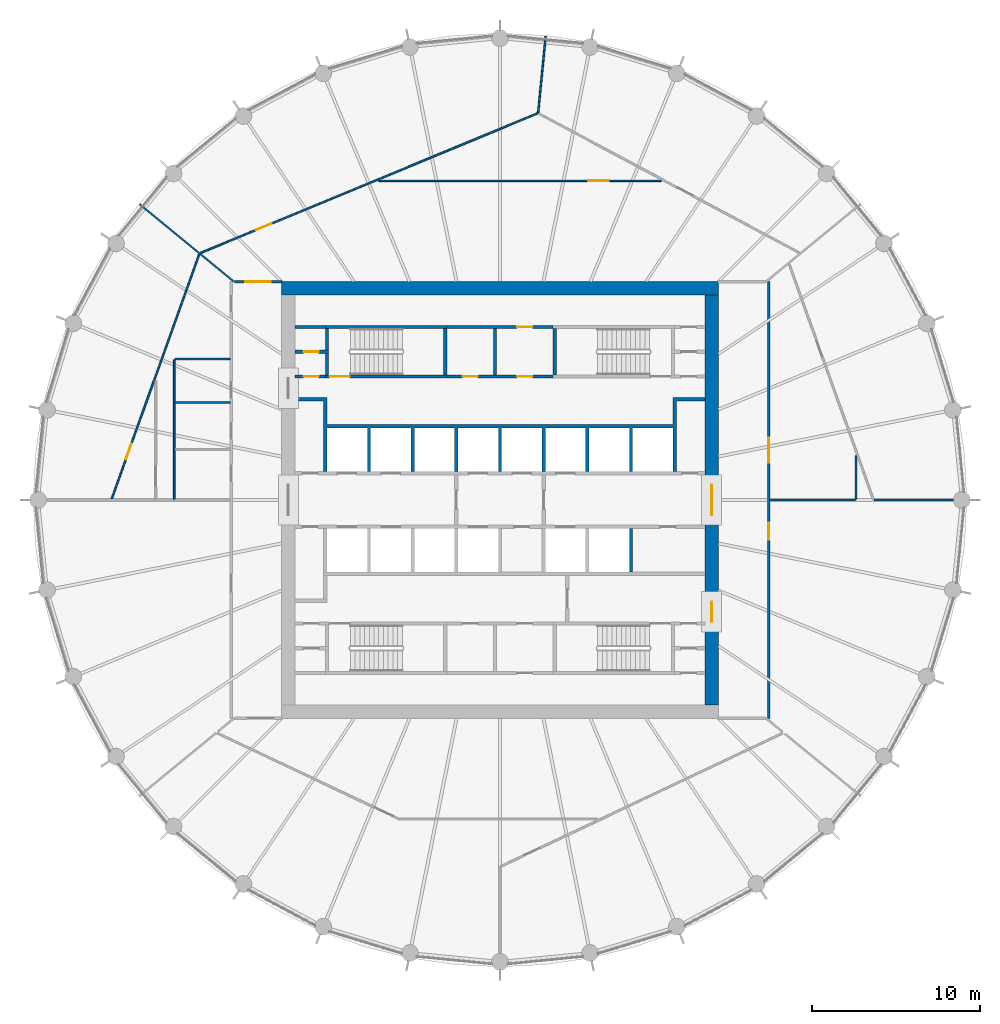
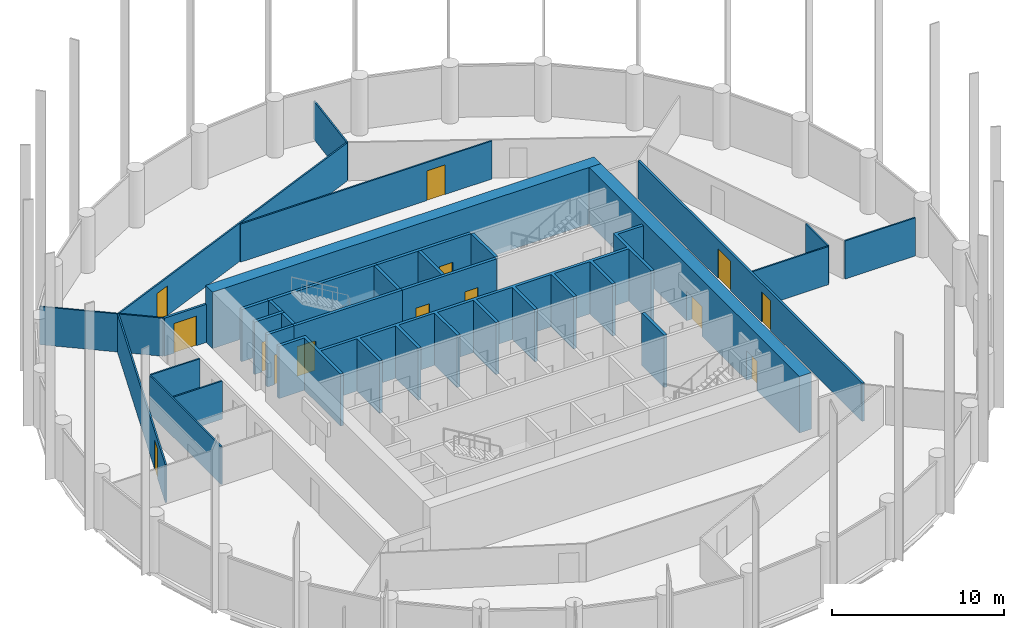
# One storey, part 6 of 8: 29 walls, 14 doors, 14 openings.
"""IFC4 building model written with IfcOpenShell, lengths in metres."""

from ifc_helpers import new_model, si_unit, direction, frame, frame_2d, origin, place, context, subcontext, project, spatial, polyline, rectangle, outline, extrude, material, layer, layer_set, type_object, element, fill, save


model = new_model("IFC4")

# Units and contexts
model_context = context("Model", 3, precision=1e-05, world=origin(), true_north=direction((0.0, 1.0)))
body_context = subcontext(model_context, "Body", "Model", "MODEL_VIEW")
ifc_project = project(units=[si_unit("LENGTHUNIT", "METRE"), si_unit("AREAUNIT", "SQUARE_METRE"), si_unit("VOLUMEUNIT", "CUBIC_METRE"), si_unit("PLANEANGLEUNIT", "RADIAN"), si_unit("MASSUNIT", "GRAM", prefix="KILO")], contexts=[model_context])

# Site, building, storey
site_placement = place(None, origin())
site = spatial("IfcSite", under=ifc_project, at=site_placement, CompositionType="ELEMENT")
building_placement = place(site_placement, origin())
building = spatial("IfcBuilding", under=site, at=building_placement, Name="Corvane Civic Tower", CompositionType="ELEMENT")
storey_placement = place(building_placement, frame((0.0, 0.0, 233.5)))
storey = spatial("IfcBuildingStorey", under=building, at=storey_placement, Name="L55", CompositionType="ELEMENT", Elevation=233.5)

# Wall
ifc_material_1 = material(Name="Concrete C50/60", Category="concrete")
ifc_layer_1 = layer(ifc_material_1, 0.800048828125)
ifc_layer_set_1 = layer_set([ifc_layer_1], Name="Concrete C50/60")
wall_type_1 = type_object("IfcWallType", Name="CORE WALL 800 C50/60", PredefinedType="SHEAR", material=ifc_layer_set_1)
wall_1_placement = place(storey_placement, frame((-13.0, 12.60009765625, 0.0), z_axis=(0.0, 0.0, 1.0), x_axis=(1.0, 0.0, 0.0)))
element("IfcWall", 1, at=wall_1_placement, inside=storey, type_object=wall_type_1, Name="W-L55-core-N", PredefinedType="SHEAR", context=body_context, shape_type="SweptSolid", body=[
    extrude(rectangle(XDim=26.0, YDim=0.800048828125, at=frame_2d((13.0, 0.0))), origin(), (0.0, 0.0, 1.0), 4.0),
])

# Wall, openings, doors
wall_2_placement = place(storey_placement, frame((12.60009765625, -12.199951171875, 0.0), z_axis=(0.0, 0.0, 1.0), x_axis=(0.0, 1.0, 0.0)))
wall_2 = element("IfcWall", 2, at=wall_2_placement, inside=storey, type_object=wall_type_1, Name="W-L55-core-E", PredefinedType="SHEAR", context=body_context, shape_type="SweptSolid", body=[
    extrude(rectangle(XDim=24.39990234375, YDim=0.800048828125, at=frame_2d((12.199951171875, 0.0))), origin(), (0.0, 0.0, 1.0), 4.0),
])
opening_1_placement = place(wall_2_placement, frame((11.300048828125, 0.0, 0.0)))
opening_1 = element("IfcOpeningElement", 3, at=opening_1_placement, cuts=wall_2, Name="Opening L55.C30", PredefinedType="OPENING", context=body_context, shape_type="SweptSolid", body=[
    extrude(rectangle(XDim=1.800048828125, YDim=2.10009765625, at=frame_2d((0.89990234375, 1.050048828125))), frame((0.0, 0.409912109375, 0.0), z_axis=(0.0, -1.0, 0.0), x_axis=(1.0, 0.0, 0.0)), (0.0, 0.0, 1.0), 0.820068359375),
])
opening_2_placement = place(wall_2_placement, frame((4.949951171875, 0.0, 0.0)))
opening_2 = element("IfcOpeningElement", 4, at=opening_2_placement, cuts=wall_2, Name="Opening L55.C32", PredefinedType="OPENING", context=body_context, shape_type="SweptSolid", body=[
    extrude(rectangle(XDim=1.199951171875, YDim=2.10009765625, at=frame_2d((0.60009765625, 1.050048828125))), frame((0.0, 0.409912109375, 0.0), z_axis=(0.0, -1.0, 0.0), x_axis=(1.0, 0.0, 0.0)), (0.0, 0.0, 1.0), 0.820068359375),
])
ifc_material_2 = material(Name="Steel fire door leaf", Category="steel")
door_type_1 = type_object("IfcDoorType", Name="CR-DOOR-CORE-1800", OperationType="DOUBLE_DOOR_SINGLE_SWING", PredefinedType="DOOR", material=ifc_material_2)
door_1_placement = place(opening_1_placement, origin())
door_1 = element("IfcDoor", 5, at=door_1_placement, inside=storey, type_object=door_type_1, Name="L55 door", OperationType="DOUBLE_DOOR_SINGLE_SWING", OverallHeight=2.10009765625, OverallWidth=1.800048828125, PredefinedType="DOOR", context=body_context, shape_type="SweptSolid", body=[
    extrude(rectangle(XDim=1.800048828125, YDim=2.10009765625, at=frame_2d((0.89990234375, 1.050048828125))), frame((0.0, 0.02490234375, 0.0), z_axis=(0.0, -1.0, 0.0), x_axis=(1.0, 0.0, 0.0)), (0.0, 0.0, 1.0), 0.050048828125),
])
fill(opening_1, door_1)
door_2_placement = place(opening_2_placement, origin())
door_2 = element("IfcDoor", 6, at=door_2_placement, inside=storey, type_object=door_type_1, Name="L55 door", OperationType="DOUBLE_DOOR_SINGLE_SWING", OverallHeight=2.10009765625, OverallWidth=1.199951171875, PredefinedType="DOOR", context=body_context, shape_type="SweptSolid", body=[
    extrude(rectangle(XDim=1.199951171875, YDim=2.10009765625, at=frame_2d((0.60009765625, 1.050048828125))), frame((0.0, 0.02490234375, 0.0), z_axis=(0.0, -1.0, 0.0), x_axis=(1.0, 0.0, 0.0)), (0.0, 0.0, 1.0), 0.050048828125),
])
fill(opening_2, door_2)

# Wall, opening, door
ifc_material_3 = material(Name="Concrete C30/37", Category="concrete")
ifc_layer_2 = layer(ifc_material_3, 0.199951171875)
ifc_layer_set_2 = layer_set([ifc_layer_2], Name="Concrete C30/37")
wall_type_2 = type_object("IfcWallType", Name="CR-WALL-200", PredefinedType="PARTITIONING", material=ifc_layer_set_2)
wall_3_placement = place(storey_placement, frame((-12.199951171875, 7.35009765625, 0.0), z_axis=(0.0, 0.0, 1.0), x_axis=(1.0, 0.0, 0.0)))
wall_3 = element("IfcWall", 7, at=wall_3_placement, inside=storey, type_object=wall_type_2, Name="L55 core partition wall", PredefinedType="PARTITIONING", context=body_context, shape_type="SweptSolid", body=[
    extrude(rectangle(XDim=1.800048828125, YDim=0.199951171875, at=frame_2d((0.89990234375, 0.0))), origin(), (0.0, 0.0, 1.0), 3.699951171875),
])
opening_3_placement = place(wall_3_placement, frame((0.5, 0.0, 0.0)))
opening_3 = element("IfcOpeningElement", 8, at=opening_3_placement, cuts=wall_3, Name="Opening L55.C12", PredefinedType="OPENING", context=body_context, shape_type="SweptSolid", body=[
    extrude(rectangle(XDim=0.89990234375, YDim=2.10009765625, at=frame_2d((0.449951171875, 1.050048828125))), frame((0.0, 0.10986328125, 0.0), z_axis=(0.0, -1.0, 0.0), x_axis=(1.0, 0.0, 0.0)), (0.0, 0.0, 1.0), 0.219970703125),
])
ifc_material_4 = material(Name="Steel fire door leaf", Category="steel")
door_type_2 = type_object("IfcDoorType", Name="CR-DOOR-900", OperationType="SINGLE_SWING_LEFT", PredefinedType="DOOR", material=ifc_material_4)
door_3_placement = place(opening_3_placement, origin())
door_3 = element("IfcDoor", 9, at=door_3_placement, inside=storey, type_object=door_type_2, Name="L55 door", OperationType="SINGLE_SWING_LEFT", OverallHeight=2.10009765625, OverallWidth=0.89990234375, PredefinedType="DOOR", context=body_context, shape_type="SweptSolid", body=[
    extrude(rectangle(XDim=0.89990234375, YDim=2.10009765625, at=frame_2d((0.449951171875, 1.050048828125))), frame((0.0, 0.02490234375, 0.0), z_axis=(0.0, -1.0, 0.0), x_axis=(1.0, 0.0, 0.0)), (0.0, 0.0, 1.0), 0.050048828125),
])
fill(opening_3, door_3)

# Wall, openings, doors
wall_4_placement = place(storey_placement, frame((-3.14990234375, 7.35009765625, 0.0), z_axis=(0.0, 0.0, 1.0), x_axis=(1.0, 0.0, 0.0)))
wall_4 = element("IfcWall", 10, at=wall_4_placement, inside=storey, type_object=wall_type_2, Name="L55 core partition wall", PredefinedType="PARTITIONING", context=body_context, shape_type="SweptSolid", body=[
    extrude(rectangle(XDim=6.2998046875, YDim=0.199951171875, at=frame_2d((3.14990234375, 0.0))), origin(), (0.0, 0.0, 1.0), 3.699951171875),
])
opening_4_placement = place(wall_4_placement, frame((0.925048828125, 0.0, 0.0)))
opening_4 = element("IfcOpeningElement", 11, at=opening_4_placement, cuts=wall_4, Name="Opening L55.C06", PredefinedType="OPENING", context=body_context, shape_type="SweptSolid", body=[
    extrude(rectangle(XDim=0.89990234375, YDim=2.10009765625, at=frame_2d((0.449951171875, 1.050048828125))), frame((0.0, 0.10986328125, 0.0), z_axis=(0.0, -1.0, 0.0), x_axis=(1.0, 0.0, 0.0)), (0.0, 0.0, 1.0), 0.219970703125),
])
opening_5_placement = place(wall_4_placement, frame((4.175048828125, 0.0, 0.0)))
opening_5 = element("IfcOpeningElement", 12, at=opening_5_placement, cuts=wall_4, Name="Opening L55.C07", PredefinedType="OPENING", context=body_context, shape_type="SweptSolid", body=[
    extrude(rectangle(XDim=0.89990234375, YDim=2.10009765625, at=frame_2d((0.449951171875, 1.050048828125))), frame((0.0, 0.10986328125, 0.0), z_axis=(0.0, -1.0, 0.0), x_axis=(1.0, 0.0, 0.0)), (0.0, 0.0, 1.0), 0.219970703125),
])
door_4_placement = place(opening_4_placement, origin())
door_4 = element("IfcDoor", 13, at=door_4_placement, inside=storey, type_object=door_type_2, Name="L55 door", OperationType="SINGLE_SWING_LEFT", OverallHeight=2.10009765625, OverallWidth=0.89990234375, PredefinedType="DOOR", context=body_context, shape_type="SweptSolid", body=[
    extrude(rectangle(XDim=0.89990234375, YDim=2.10009765625, at=frame_2d((0.449951171875, 1.050048828125))), frame((0.0, 0.02490234375, 0.0), z_axis=(0.0, -1.0, 0.0), x_axis=(1.0, 0.0, 0.0)), (0.0, 0.0, 1.0), 0.050048828125),
])
fill(opening_4, door_4)
door_5_placement = place(opening_5_placement, origin())
door_5 = element("IfcDoor", 14, at=door_5_placement, inside=storey, type_object=door_type_2, Name="L55 door", OperationType="SINGLE_SWING_LEFT", OverallHeight=2.10009765625, OverallWidth=0.89990234375, PredefinedType="DOOR", context=body_context, shape_type="SweptSolid", body=[
    extrude(rectangle(XDim=0.89990234375, YDim=2.10009765625, at=frame_2d((0.449951171875, 1.050048828125))), frame((0.0, 0.02490234375, 0.0), z_axis=(0.0, -1.0, 0.0), x_axis=(1.0, 0.0, 0.0)), (0.0, 0.0, 1.0), 0.050048828125),
])
fill(opening_5, door_5)

# Wall, opening, door
wall_5_placement = place(storey_placement, frame((-12.199951171875, 8.824951171875, 0.0), z_axis=(0.0, 0.0, 1.0), x_axis=(1.0, 0.0, 0.0)))
wall_5 = element("IfcWall", 15, at=wall_5_placement, inside=storey, type_object=wall_type_2, Name="L55 partition wall", PredefinedType="PARTITIONING", context=body_context, shape_type="SweptSolid", body=[
    extrude(rectangle(XDim=2.0, YDim=0.199951171875, at=frame_2d((1.0, 0.0))), origin(), (0.0, 0.0, 1.0), 3.699951171875),
])
opening_6_placement = place(wall_5_placement, frame((0.5, 0.0, 0.0)))
opening_6 = element("IfcOpeningElement", 16, at=opening_6_placement, cuts=wall_5, Name="Opening L55.C13", PredefinedType="OPENING", context=body_context, shape_type="SweptSolid", body=[
    extrude(rectangle(XDim=0.89990234375, YDim=2.10009765625, at=frame_2d((0.449951171875, 1.050048828125))), frame((0.0, 0.10986328125, 0.0), z_axis=(0.0, -1.0, 0.0), x_axis=(1.0, 0.0, 0.0)), (0.0, 0.0, 1.0), 0.219970703125),
])
door_6_placement = place(opening_6_placement, origin())
door_6 = element("IfcDoor", 17, at=door_6_placement, inside=storey, type_object=door_type_2, Name="L55 door", OperationType="SINGLE_SWING_LEFT", OverallHeight=2.10009765625, OverallWidth=0.89990234375, PredefinedType="DOOR", context=body_context, shape_type="SweptSolid", body=[
    extrude(rectangle(XDim=0.89990234375, YDim=2.10009765625, at=frame_2d((0.449951171875, 1.050048828125))), frame((0.0, 0.02490234375, 0.0), z_axis=(0.0, -1.0, 0.0), x_axis=(1.0, 0.0, 0.0)), (0.0, 0.0, 1.0), 0.050048828125),
])
fill(opening_6, door_6)

wall_6_placement = place(storey_placement, frame((-3.14990234375, 10.300048828125, 0.0), z_axis=(0.0, 0.0, 1.0), x_axis=(1.0, 0.0, 0.0)))
wall_6 = element("IfcWall", 18, at=wall_6_placement, inside=storey, type_object=wall_type_2, Name="L55 partition wall", PredefinedType="PARTITIONING", context=body_context, shape_type="SweptSolid", body=[
    extrude(rectangle(XDim=6.2998046875, YDim=0.199951171875, at=frame_2d((3.14990234375, 0.0))), origin(), (0.0, 0.0, 1.0), 3.699951171875),
])
opening_7_placement = place(wall_6_placement, frame((4.175048828125, 0.0, 0.0)))
opening_7 = element("IfcOpeningElement", 19, at=opening_7_placement, cuts=wall_6, Name="Opening L55.C10", PredefinedType="OPENING", context=body_context, shape_type="SweptSolid", body=[
    extrude(rectangle(XDim=0.89990234375, YDim=2.10009765625, at=frame_2d((0.449951171875, 1.050048828125))), frame((0.0, 0.10986328125, 0.0), z_axis=(0.0, -1.0, 0.0), x_axis=(1.0, 0.0, 0.0)), (0.0, 0.0, 1.0), 0.219970703125),
])
door_7_placement = place(opening_7_placement, origin())
door_7 = element("IfcDoor", 20, at=door_7_placement, inside=storey, type_object=door_type_2, Name="L55 door", OperationType="SINGLE_SWING_LEFT", OverallHeight=2.10009765625, OverallWidth=0.89990234375, PredefinedType="DOOR", context=body_context, shape_type="SweptSolid", body=[
    extrude(rectangle(XDim=0.89990234375, YDim=2.10009765625, at=frame_2d((0.449951171875, 1.050048828125))), frame((0.0, 0.02490234375, 0.0), z_axis=(0.0, -1.0, 0.0), x_axis=(1.0, 0.0, 0.0)), (0.0, 0.0, 1.0), 0.050048828125),
])
fill(opening_7, door_7)

# Walls
wall_7_placement = place(storey_placement, origin())
element("IfcWall", 21, at=wall_7_placement, inside=storey, type_object=wall_type_2, Name="L55 core partition wall", PredefinedType="PARTITIONING", context=body_context, shape_type="SweptSolid", body=[
    extrude(outline(polyline([(7.89990234375, -1.699951171875), (7.89990234375, -4.2998046875), (7.699951171875, -4.2998046875), (7.699951171875, -1.699951171875), (7.89990234375, -1.699951171875)])), origin(), (0.0, 0.0, 1.0), 3.699951171875),
])
wall_8_placement = place(storey_placement, origin())
element("IfcWall", 22, at=wall_8_placement, inside=storey, type_object=wall_type_2, Name="L55 core partition wall", PredefinedType="PARTITIONING", context=body_context, shape_type="SweptSolid", body=[
    extrude(outline(polyline([(-12.199951171875, 10.199951171875), (-12.199951171875, 10.39990234375), (-10.39990234375, 10.39990234375), (-10.39990234375, 10.199951171875), (-12.199951171875, 10.199951171875)])), origin(), (0.0, 0.0, 1.0), 3.699951171875),
])
wall_9_placement = place(storey_placement, origin())
element("IfcWall", 23, at=wall_9_placement, inside=storey, type_object=wall_type_2, Name="L55 core partition wall", PredefinedType="PARTITIONING", context=body_context, shape_type="SweptSolid", body=[
    extrude(outline(polyline([(-0.199951171875, 10.199951171875), (-0.199951171875, 7.449951171875), (-0.39990234375, 7.449951171875), (-0.39990234375, 10.199951171875), (-0.199951171875, 10.199951171875)])), origin(), (0.0, 0.0, 1.0), 3.699951171875),
])
wall_10_placement = place(storey_placement, origin())
element("IfcWall", 24, at=wall_10_placement, inside=storey, type_object=wall_type_2, Name="L55 core partition wall", PredefinedType="PARTITIONING", context=body_context, shape_type="SweptSolid", body=[
    extrude(outline(polyline([(-10.300048828125, 1.699951171875), (-10.5, 1.699951171875), (-10.5, 5.89990234375), (-12.199951171875, 5.89990234375), (-12.199951171875, 6.10009765625), (-10.300048828125, 6.10009765625), (-10.300048828125, 4.5), (10.300048828125, 4.5), (10.300048828125, 6.10009765625), (12.199951171875, 6.10009765625), (12.199951171875, 5.89990234375), (10.5, 5.89990234375), (10.5, 1.699951171875), (10.300048828125, 1.699951171875), (10.300048828125, 4.300048828125), (7.89990234375, 4.300048828125), (7.89990234375, 1.699951171875), (7.699951171875, 1.699951171875), (7.699951171875, 4.300048828125), (5.300048828125, 4.300048828125), (5.300048828125, 1.699951171875), (5.10009765625, 1.699951171875), (5.10009765625, 4.300048828125), (2.699951171875, 4.300048828125), (2.699951171875, 1.699951171875), (2.5, 1.699951171875), (2.5, 4.300048828125), (0.10009765625, 4.300048828125), (0.10009765625, 1.699951171875), (-0.10009765625, 1.699951171875), (-0.10009765625, 4.300048828125), (-2.5, 4.300048828125), (-2.5, 1.699951171875), (-2.699951171875, 1.699951171875), (-2.699951171875, 4.300048828125), (-5.10009765625, 4.300048828125), (-5.10009765625, 1.699951171875), (-5.300048828125, 1.699951171875), (-5.300048828125, 4.300048828125), (-7.699951171875, 4.300048828125), (-7.699951171875, 1.699951171875), (-7.89990234375, 1.699951171875), (-7.89990234375, 4.300048828125), (-10.300048828125, 4.300048828125), (-10.300048828125, 1.699951171875)])), origin(), (0.0, 0.0, 1.0), 3.699951171875),
])
ifc_material_5 = material(Name="Plasterboard")
ifc_layer_3 = layer(ifc_material_5, 0.10009765625)
ifc_layer_set_3 = layer_set([ifc_layer_3], Name="Plasterboard")
wall_type_3 = type_object("IfcWallType", Name="Partition 100 plasterboard on studs", PredefinedType="PARTITIONING", material=ifc_layer_set_3)
wall_11_placement = place(storey_placement, frame((16.074951171875, 0.0, 0.0), z_axis=(0.0, 0.0, 1.0), x_axis=(1.0, 0.0, 0.0)))
element("IfcWall", 25, at=wall_11_placement, inside=storey, type_object=wall_type_3, Name="Partition L55.014", PredefinedType="PARTITIONING", context=body_context, shape_type="SweptSolid", body=[
    extrude(rectangle(XDim=5.074951171875, YDim=0.10009765625, at=frame_2d((2.53759765625, 0.0))), origin(), (0.0, 0.0, 1.0), 2.699951171875),
])
wall_12_placement = place(storey_placement, frame((22.27880859375, 0.0, 0.0), z_axis=(0.0, 0.0, 1.0), x_axis=(1.0, 0.0, 0.0)))
element("IfcWall", 26, at=wall_12_placement, inside=storey, type_object=wall_type_3, Name="Partition L55.015", PredefinedType="PARTITIONING", context=body_context, shape_type="SweptSolid", body=[
    extrude(rectangle(XDim=4.711181640625, YDim=0.10009765625, at=frame_2d((2.35546875, 0.0))), origin(), (0.0, 0.0, 1.0), 2.699951171875),
])
wall_13_placement = place(storey_placement, frame((-19.39990234375, 0.050048828125, 0.0), z_axis=(0.0, 0.0, 1.0), x_axis=(0.0, 1.0, 0.0)))
element("IfcWall", 27, at=wall_13_placement, inside=storey, type_object=wall_type_3, Name="Partition L55.018", PredefinedType="PARTITIONING", context=body_context, shape_type="SweptSolid", body=[
    extrude(rectangle(XDim=8.300048828125, YDim=0.10009765625, at=frame_2d((4.14990234375, 0.0))), origin(), (0.0, 0.0, 1.0), 2.699951171875),
])
wall_14_placement = place(storey_placement, frame((21.199951171875, 0.050048828125, 0.0), z_axis=(0.0, 0.0, 1.0), x_axis=(0.0, 1.0, 0.0)))
element("IfcWall", 28, at=wall_14_placement, inside=storey, type_object=wall_type_3, Name="Partition L55.019", PredefinedType="PARTITIONING", context=body_context, shape_type="SweptSolid", body=[
    extrude(rectangle(XDim=2.57861328125, YDim=0.10009765625, at=frame_2d((1.289306640625, 0.0))), origin(), (0.0, 0.0, 1.0), 2.699951171875),
])

# Wall, opening, door
wall_15_placement = place(storey_placement, frame((-23.120849609375, 0.06689453125, 0.0), z_axis=(0.0, 0.0, 1.0), x_axis=(0.336893826296, 0.941542643646, 0.0)))
wall_15 = element("IfcWall", 29, at=wall_15_placement, inside=storey, type_object=wall_type_3, Name="Partition L55.020", PredefinedType="PARTITIONING", context=body_context, shape_type="SweptSolid", body=[
    extrude(rectangle(XDim=15.452392578125, YDim=0.10009765625, at=frame_2d((7.72607421875, 0.0))), origin(), (0.0, 0.0, 1.0), 2.699951171875),
])
opening_8_placement = place(wall_15_placement, frame((2.49169921875, 0.0, 0.0)))
opening_8 = element("IfcOpeningElement", 30, at=opening_8_placement, cuts=wall_15, Name="Opening L55.012", PredefinedType="OPENING", context=body_context, shape_type="SweptSolid", body=[
    extrude(rectangle(XDim=1.0, YDim=2.10009765625, at=frame_2d((0.5, 1.050048828125))), frame((0.0, 0.06005859375, 0.0), z_axis=(0.0, -1.0, 0.0), x_axis=(1.0, 0.0, 0.0)), (0.0, 0.0, 1.0), 0.1201171875),
])
ifc_material_6 = material(Name="Timber", Category="wood")
door_type_3 = type_object("IfcDoorType", Name="Single door 1000", OperationType="NOTDEFINED", PredefinedType="DOOR", material=ifc_material_6)
door_8_placement = place(opening_8_placement, origin())
door_8 = element("IfcDoor", 31, at=door_8_placement, inside=storey, type_object=door_type_3, Name="Door L55.012", OperationType="SINGLE_SWING_LEFT", OverallHeight=2.10009765625, OverallWidth=1.0, PredefinedType="DOOR", context=body_context, shape_type="SweptSolid", body=[
    extrude(rectangle(XDim=1.0, YDim=2.10009765625, at=frame_2d((0.5, 1.050048828125))), frame((0.0, 0.02490234375, 0.0), z_axis=(0.0, -1.0, 0.0), x_axis=(1.0, 0.0, 0.0)), (0.0, 0.0, 1.0), 0.050048828125),
])
fill(opening_8, door_8)

# Walls
for number, where, z_axis, x_axis, name in (
    (32, (-19.35009765625, 5.800048828125, 0.0), (0.0, 0.0, 1.0), (1.0, 0.0, 0.0), "Partition L55.022"),
    (33, (-19.35009765625, 8.39990234375, 0.0), (0.0, 0.0, 1.0), (1.0, 0.0, 0.0), "Partition L55.023"),
):
    element("IfcWall", number, at=place(storey_placement, frame(where, z_axis=z_axis, x_axis=x_axis)), inside=storey, type_object=wall_type_3, Name=name, PredefinedType="PARTITIONING", context=body_context, shape_type="SweptSolid", body=[
        extrude(rectangle(XDim=3.275146484375, YDim=0.10009765625, at=frame_2d((1.6376953125, 0.0))), origin(), (0.0, 0.0, 1.0), 2.699951171875),
    ])
wall_16_placement = place(storey_placement, frame((-21.451171875, 17.6044921875, 0.0), z_axis=(0.0, 0.0, 1.0), x_axis=(0.773014432023, -0.634388436121, 0.0)))
element("IfcWall", 34, at=wall_16_placement, inside=storey, type_object=wall_type_3, Name="Partition L55.026", PredefinedType="PARTITIONING", context=body_context, shape_type="SweptSolid", body=[
    extrude(rectangle(XDim=7.239990234375, YDim=0.10009765625, at=frame_2d((3.6201171875, 0.0))), origin(), (0.0, 0.0, 1.0), 2.699951171875),
])

# Wall, opening, door
wall_17_placement = place(storey_placement, frame((-17.81396484375, 14.714599609375, 0.0), z_axis=(0.0, 0.0, 1.0), x_axis=(0.923877834908, 0.382687530715, 0.0)))
wall_17 = element("IfcWall", 35, at=wall_17_placement, inside=storey, type_object=wall_type_3, Name="Partition L55.028", PredefinedType="PARTITIONING", context=body_context, shape_type="SweptSolid", body=[
    extrude(rectangle(XDim=21.707275390625, YDim=0.10009765625, at=frame_2d((10.853515625, 0.0))), origin(), (0.0, 0.0, 1.0), 2.699951171875),
])
opening_9_placement = place(wall_17_placement, frame((3.556640625, 0.0, 0.0)))
opening_9 = element("IfcOpeningElement", 36, at=opening_9_placement, cuts=wall_17, Name="Opening L55.001", PredefinedType="OPENING", context=body_context, shape_type="SweptSolid", body=[
    extrude(rectangle(XDim=1.0, YDim=2.10009765625, at=frame_2d((0.5, 1.050048828125))), frame((0.0, 0.06005859375, 0.0), z_axis=(0.0, -1.0, 0.0), x_axis=(1.0, 0.0, 0.0)), (0.0, 0.0, 1.0), 0.1201171875),
])
door_9_placement = place(opening_9_placement, origin())
door_9 = element("IfcDoor", 37, at=door_9_placement, inside=storey, type_object=door_type_3, Name="Door L55.001", OperationType="SINGLE_SWING_RIGHT", OverallHeight=2.10009765625, OverallWidth=1.0, PredefinedType="DOOR", context=body_context, shape_type="SweptSolid", body=[
    extrude(rectangle(XDim=1.0, YDim=2.10009765625, at=frame_2d((0.5, 1.050048828125))), frame((0.0, 0.02490234375, 0.0), z_axis=(0.0, -1.0, 0.0), x_axis=(1.0, 0.0, 0.0)), (0.0, 0.0, 1.0), 0.050048828125),
])
fill(opening_9, door_9)

wall_18_placement = place(storey_placement, frame((-7.217041015625, 19.0, 0.0), z_axis=(0.0, 0.0, 1.0), x_axis=(1.0, 0.0, 0.0)))
wall_18 = element("IfcWall", 38, at=wall_18_placement, inside=storey, type_object=wall_type_3, Name="Partition L55.030", PredefinedType="PARTITIONING", context=body_context, shape_type="SweptSolid", body=[
    extrude(rectangle(XDim=16.83154296875, YDim=0.10009765625, at=frame_2d((8.415771484375, 0.0))), origin(), (0.0, 0.0, 1.0), 2.699951171875),
])
opening_10_placement = place(wall_18_placement, frame((12.481201171875, 0.0, 0.0)))
opening_10 = element("IfcOpeningElement", 39, at=opening_10_placement, cuts=wall_18, Name="Opening L55.003", PredefinedType="OPENING", context=body_context, shape_type="SweptSolid", body=[
    extrude(rectangle(XDim=1.199951171875, YDim=2.10009765625, at=frame_2d((0.60009765625, 1.050048828125))), frame((0.0, 0.06005859375, 0.0), z_axis=(0.0, -1.0, 0.0), x_axis=(1.0, 0.0, 0.0)), (0.0, 0.0, 1.0), 0.1201171875),
])
ifc_material_7 = material(Name="Timber", Category="wood")
door_type_4 = type_object("IfcDoorType", Name="Double door 1200", OperationType="NOTDEFINED", PredefinedType="DOOR", material=ifc_material_7)
door_10_placement = place(opening_10_placement, origin())
door_10 = element("IfcDoor", 40, at=door_10_placement, inside=storey, type_object=door_type_4, Name="Door L55.003", OperationType="DOUBLE_DOOR_SINGLE_SWING", OverallHeight=2.10009765625, OverallWidth=1.199951171875, PredefinedType="DOOR", context=body_context, shape_type="SweptSolid", body=[
    extrude(rectangle(XDim=1.199951171875, YDim=2.10009765625, at=frame_2d((0.60009765625, 1.050048828125))), frame((0.0, 0.02490234375, 0.0), z_axis=(0.0, -1.0, 0.0), x_axis=(1.0, 0.0, 0.0)), (0.0, 0.0, 1.0), 0.050048828125),
])
fill(opening_10, door_10)

# Wall
wall_19_placement = place(storey_placement, frame((2.271728515625, 23.06640625, 0.0), z_axis=(0.0, 0.0, 1.0), x_axis=(0.09803912551, 0.995182561076, 0.0)))
element("IfcWall", 41, at=wall_19_placement, inside=storey, type_object=wall_type_3, Name="Partition L55.031", PredefinedType="PARTITIONING", context=body_context, shape_type="SweptSolid", body=[
    extrude(rectangle(XDim=4.572021484375, YDim=0.10009765625, at=frame_2d((2.2861328125, 0.0))), origin(), (0.0, 0.0, 1.0), 2.699951171875),
])

# Wall, opening, door
ifc_material_8 = material(Name="Concrete C50/60", Category="concrete")
ifc_layer_4 = layer(ifc_material_8, 0.199951171875)
ifc_layer_set_4 = layer_set([ifc_layer_4], Name="Concrete C50/60")
wall_type_4 = type_object("IfcWallType", Name="ST-WALL-200", PredefinedType="SHEAR", material=ifc_layer_set_4)
wall_20_placement = place(storey_placement, frame((-10.39990234375, 7.35009765625, 0.0), z_axis=(0.0, 0.0, 1.0), x_axis=(1.0, 0.0, 0.0)))
wall_20 = element("IfcWall", 42, at=wall_20_placement, inside=storey, type_object=wall_type_4, Name="L55 stair enclosure wall", PredefinedType="SHEAR", context=body_context, shape_type="SweptSolid", body=[
    extrude(rectangle(XDim=7.25, YDim=0.199951171875, at=frame_2d((3.625, 0.0))), origin(), (0.0, 0.0, 1.0), 3.699951171875),
])
opening_11_placement = place(wall_20_placement, frame((0.25, 0.0, 0.0)))
opening_11 = element("IfcOpeningElement", 43, at=opening_11_placement, cuts=wall_20, Name="Opening L55.C23", PredefinedType="OPENING", context=body_context, shape_type="SweptSolid", body=[
    extrude(rectangle(XDim=1.199951171875, YDim=2.10009765625, at=frame_2d((0.60009765625, 1.050048828125))), frame((0.0, 0.10986328125, 0.0), z_axis=(0.0, -1.0, 0.0), x_axis=(1.0, 0.0, 0.0)), (0.0, 0.0, 1.0), 0.219970703125),
])
ifc_material_9 = material(Name="Steel fire door leaf", Category="steel")
door_type_5 = type_object("IfcDoorType", Name="ST-DOOR-1200", OperationType="SINGLE_SWING_RIGHT", PredefinedType="DOOR", material=ifc_material_9)
door_11_placement = place(opening_11_placement, origin())
door_11 = element("IfcDoor", 44, at=door_11_placement, inside=storey, type_object=door_type_5, Name="L55 stair door", OperationType="SINGLE_SWING_RIGHT", OverallHeight=2.10009765625, OverallWidth=1.199951171875, PredefinedType="DOOR", context=body_context, shape_type="SweptSolid", body=[
    extrude(rectangle(XDim=1.199951171875, YDim=2.10009765625, at=frame_2d((0.60009765625, 1.050048828125))), frame((0.0, 0.02490234375, 0.0), z_axis=(0.0, -1.0, 0.0), x_axis=(1.0, 0.0, 0.0)), (0.0, 0.0, 1.0), 0.050048828125),
])
fill(opening_11, door_11)

# Walls
wall_21_placement = place(storey_placement, origin())
element("IfcWall", 45, at=wall_21_placement, inside=storey, type_object=wall_type_4, Name="L55 stair enclosure wall", PredefinedType="SHEAR", context=body_context, shape_type="SweptSolid", body=[
    extrude(outline(polyline([(-3.14990234375, 10.199951171875), (-10.39990234375, 10.199951171875), (-10.39990234375, 10.39990234375), (-3.14990234375, 10.39990234375), (-3.14990234375, 10.199951171875)])), origin(), (0.0, 0.0, 1.0), 3.699951171875),
])
wall_22_placement = place(storey_placement, origin())
element("IfcWall", 46, at=wall_22_placement, inside=storey, type_object=wall_type_4, Name="L55 stair enclosure wall", PredefinedType="SHEAR", context=body_context, shape_type="SweptSolid", body=[
    extrude(outline(polyline([(-3.14990234375, 7.449951171875), (-3.35009765625, 7.449951171875), (-3.35009765625, 10.199951171875), (-3.14990234375, 10.199951171875), (-3.14990234375, 7.449951171875)])), origin(), (0.0, 0.0, 1.0), 3.699951171875),
])
wall_23_placement = place(storey_placement, origin())
element("IfcWall", 47, at=wall_23_placement, inside=storey, type_object=wall_type_4, Name="L55 stair enclosure wall", PredefinedType="SHEAR", context=body_context, shape_type="SweptSolid", body=[
    extrude(outline(polyline([(3.35009765625, 7.449951171875), (3.14990234375, 7.449951171875), (3.14990234375, 10.199951171875), (3.35009765625, 10.199951171875), (3.35009765625, 7.449951171875)])), origin(), (0.0, 0.0, 1.0), 3.699951171875),
])
wall_24_placement = place(storey_placement, origin())
element("IfcWall", 48, at=wall_24_placement, inside=storey, type_object=wall_type_4, Name="L55 stair enclosure wall", PredefinedType="SHEAR", context=body_context, shape_type="SweptSolid", body=[
    extrude(outline(polyline([(-10.199951171875, 8.72509765625), (-10.199951171875, 7.449951171875), (-10.39990234375, 7.449951171875), (-10.39990234375, 8.72509765625), (-10.199951171875, 8.72509765625)])), origin(), (0.0, 0.0, 1.0), 3.699951171875),
])
wall_25_placement = place(storey_placement, origin())
element("IfcWall", 49, at=wall_25_placement, inside=storey, type_object=wall_type_4, Name="L55 stair enclosure wall", PredefinedType="SHEAR", context=body_context, shape_type="SweptSolid", body=[
    extrude(outline(polyline([(-10.199951171875, 8.925048828125), (-10.39990234375, 8.925048828125), (-10.39990234375, 10.199951171875), (-10.199951171875, 10.199951171875), (-10.199951171875, 8.925048828125)])), origin(), (0.0, 0.0, 1.0), 3.699951171875),
])

# Wall, openings, doors
ifc_material_10 = material(Name="Plasterboard")
ifc_layer_5 = layer(ifc_material_10, 0.14990234375)
ifc_layer_set_5 = layer_set([ifc_layer_5], Name="Plasterboard")
wall_type_5 = type_object("IfcWallType", Name="Tenancy wall 150 EI 60", PredefinedType="PARTITIONING", material=ifc_layer_set_5)
wall_26_placement = place(storey_placement, frame((16.0, -13.0, 0.0), z_axis=(0.0, 0.0, 1.0), x_axis=(0.0, 1.0, 0.0)))
wall_26 = element("IfcWall", 50, at=wall_26_placement, inside=storey, type_object=wall_type_5, Name="Partition L55.012", PredefinedType="PARTITIONING", context=body_context, shape_type="SweptSolid", body=[
    extrude(rectangle(XDim=26.0, YDim=0.14990234375, at=frame_2d((13.0, 0.0))), origin(), (0.0, 0.0, 1.0), 2.699951171875),
])
opening_12_placement = place(wall_26_placement, frame((15.22119140625, 0.0, 0.0)))
opening_12 = element("IfcOpeningElement", 51, at=opening_12_placement, cuts=wall_26, Name="Opening L55.009", PredefinedType="OPENING", context=body_context, shape_type="SweptSolid", body=[
    extrude(rectangle(XDim=1.5, YDim=2.10009765625, at=frame_2d((0.75, 1.050048828125))), frame((0.0, 0.0849609375, 0.0), z_axis=(0.0, -1.0, 0.0), x_axis=(1.0, 0.0, 0.0)), (0.0, 0.0, 1.0), 0.169921875),
])
opening_13_placement = place(wall_26_placement, frame((10.637451171875, 0.0, 0.0)))
opening_13 = element("IfcOpeningElement", 52, at=opening_13_placement, cuts=wall_26, Name="Opening L55.010", PredefinedType="OPENING", context=body_context, shape_type="SweptSolid", body=[
    extrude(rectangle(XDim=1.0, YDim=2.10009765625, at=frame_2d((0.5, 1.050048828125))), frame((0.0, 0.0849609375, 0.0), z_axis=(0.0, -1.0, 0.0), x_axis=(1.0, 0.0, 0.0)), (0.0, 0.0, 1.0), 0.169921875),
])
ifc_material_11 = material(Name="Steel and timber", Category="steel")
door_type_6 = type_object("IfcDoorType", Name="Fire door FD30S 1000", OperationType="NOTDEFINED", PredefinedType="DOOR", material=ifc_material_11)
door_12_placement = place(opening_13_placement, frame((1.0, 0.0, 0.0), z_axis=(0.0, 0.0, 1.0), x_axis=(-1.0, 0.0, 0.0)))
door_12 = element("IfcDoor", 53, at=door_12_placement, inside=storey, type_object=door_type_6, Name="Door L55.010", OperationType="SINGLE_SWING_RIGHT", OverallHeight=2.10009765625, OverallWidth=1.0, PredefinedType="DOOR", context=body_context, shape_type="SweptSolid", body=[
    extrude(rectangle(XDim=1.0, YDim=2.10009765625, at=frame_2d((0.5, 1.050048828125))), frame((0.0, 0.02490234375, 0.0), z_axis=(0.0, -1.0, 0.0), x_axis=(1.0, 0.0, 0.0)), (0.0, 0.0, 1.0), 0.050048828125),
])
fill(opening_13, door_12)
ifc_material_12 = material(Name="Steel and timber", Category="steel")
door_type_7 = type_object("IfcDoorType", Name="Fire door FD60 double 1500", OperationType="NOTDEFINED", PredefinedType="DOOR", material=ifc_material_12)
door_13_placement = place(opening_12_placement, frame((1.5, 0.0, 0.0), z_axis=(0.0, 0.0, 1.0), x_axis=(-1.0, 0.0, 0.0)))
door_13 = element("IfcDoor", 54, at=door_13_placement, inside=storey, type_object=door_type_7, Name="Door L55.009", OperationType="DOUBLE_DOOR_SINGLE_SWING", OverallHeight=2.10009765625, OverallWidth=1.5, PredefinedType="DOOR", context=body_context, shape_type="SweptSolid", body=[
    extrude(rectangle(XDim=1.5, YDim=2.10009765625, at=frame_2d((0.75, 1.050048828125))), frame((0.0, 0.02490234375, 0.0), z_axis=(0.0, -1.0, 0.0), x_axis=(1.0, 0.0, 0.0)), (0.0, 0.0, 1.0), 0.050048828125),
])
fill(opening_12, door_13)

# Wall, opening, door
wall_27_placement = place(storey_placement, frame((-15.813720703125, 13.0, 0.0), z_axis=(0.0, 0.0, 1.0), x_axis=(1.0, 0.0, 0.0)))
wall_27 = element("IfcWall", 55, at=wall_27_placement, inside=storey, type_object=wall_type_5, Name="Partition L55.024", PredefinedType="PARTITIONING", context=body_context, shape_type="SweptSolid", body=[
    extrude(rectangle(XDim=2.82373046875, YDim=0.14990234375, at=frame_2d((1.411865234375, 0.0))), origin(), (0.0, 0.0, 1.0), 2.699951171875),
])
opening_14_placement = place(wall_27_placement, frame((0.65966796875, 0.0, 0.0)))
opening_14 = element("IfcOpeningElement", 56, at=opening_14_placement, cuts=wall_27, Name="Opening L55.004", PredefinedType="OPENING", context=body_context, shape_type="SweptSolid", body=[
    extrude(rectangle(XDim=1.5, YDim=2.10009765625, at=frame_2d((0.75, 1.050048828125))), frame((0.0, 0.0849609375, 0.0), z_axis=(0.0, -1.0, 0.0), x_axis=(1.0, 0.0, 0.0)), (0.0, 0.0, 1.0), 0.169921875),
])
door_14_placement = place(opening_14_placement, origin())
door_14 = element("IfcDoor", 57, at=door_14_placement, inside=storey, type_object=door_type_7, Name="Door L55.004", OperationType="DOUBLE_DOOR_SINGLE_SWING", OverallHeight=2.10009765625, OverallWidth=1.5, PredefinedType="DOOR", context=body_context, shape_type="SweptSolid", body=[
    extrude(rectangle(XDim=1.5, YDim=2.10009765625, at=frame_2d((0.75, 1.050048828125))), frame((0.0, 0.02490234375, 0.0), z_axis=(0.0, -1.0, 0.0), x_axis=(1.0, 0.0, 0.0)), (0.0, 0.0, 1.0), 0.050048828125),
])
fill(opening_14, door_14)

save(model, "model.ifc")
